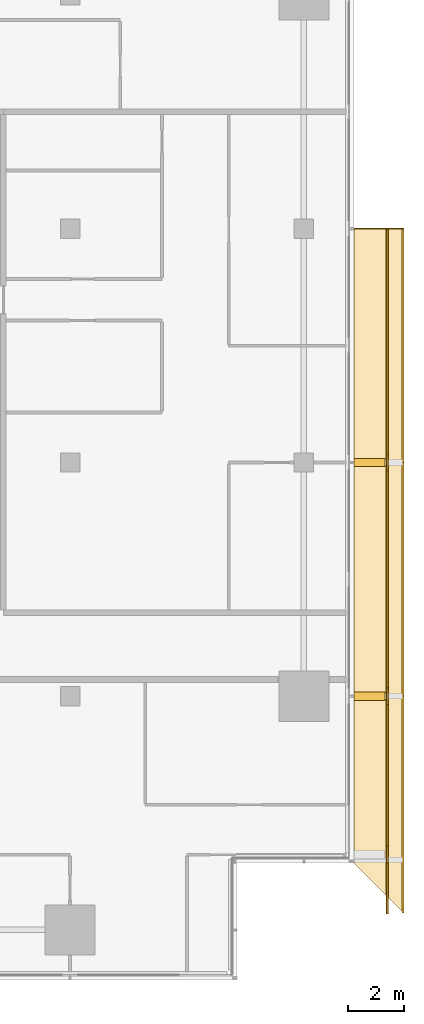
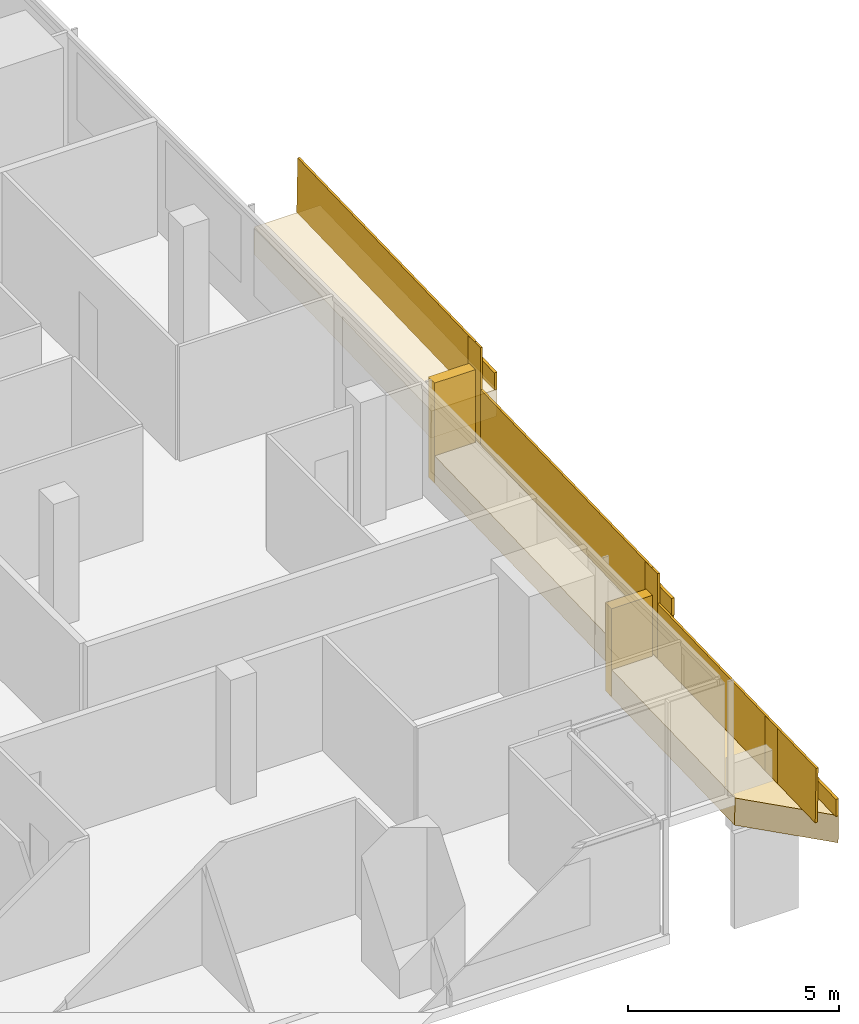
# One storey, part 27 of 27: 8 coverings, 6 railings.
"""IFC4 building model written with IfcOpenShell, lengths in metres."""

from ifc_helpers import new_model, si_unit, direction, frame, origin, origin_2d, place, context, subcontext, project, spatial, polyline, rectangle, outline, extrude, material, layer, layer_set, type_object, element, save


model = new_model("IFC4")

# Units and contexts
model_context = context("Model", 3, precision=1e-05, world=origin(), true_north=direction((0.0, 1.0)))
body_context = subcontext(model_context, "Body", "Model", "MODEL_VIEW")
ifc_project = project(units=[si_unit("LENGTHUNIT", "METRE"), si_unit("AREAUNIT", "SQUARE_METRE"), si_unit("VOLUMEUNIT", "CUBIC_METRE"), si_unit("PLANEANGLEUNIT", "RADIAN"), si_unit("MASSUNIT", "GRAM", prefix="KILO")], contexts=[model_context])

# Site, building, storey
site_placement = place(None, origin())
site = spatial("IfcSite", under=ifc_project, at=site_placement, CompositionType="ELEMENT")
building_placement = place(site_placement, origin())
building = spatial("IfcBuilding", under=site, at=building_placement, Name="Saffron Gate Tower", CompositionType="ELEMENT")
storey_placement = place(building_placement, frame((0.0, 0.0, 183.449951171875)))
storey = spatial("IfcBuildingStorey", under=building, at=storey_placement, Name="L45", CompositionType="ELEMENT", Elevation=183.449951171875)

# Coverings
ifc_material = material(Name="Timber, thermally modified ash", Category="wood")
ifc_layer_1 = layer(ifc_material, 0.800048828125)
ifc_layer_set_1 = layer_set([ifc_layer_1], Name="LD1 ledge timber")
covering_type_1 = type_object("IfcCoveringType", Name="LD1 ledge timber", PredefinedType="CLADDING", material=ifc_layer_set_1)
covering_1_placement = place(storey_placement, frame((127.199951171875, 34.199951171875, -0.07177734375), z_axis=(-2.391759e-05, -0.028789477025, 0.999585496814), x_axis=(1.72e-10, 0.9995854971, 0.028789477033)))
element("IfcCovering", 1, at=covering_1_placement, inside=storey, type_object=covering_type_1, Name="LEDGE", PredefinedType="CLADDING", context=body_context, shape_type="SweptSolid", body=[
    extrude(outline(polyline([(0.0, 0.0), (6.002489288687248, -8.470329472543003e-22), (6.002489288996045, -1.8000488276101398), (-1.800792782710612, -1.8000488299785034), (0.0, 0.0)])), origin(), (0.0, 0.0, -1.0), 0.800048828125),
])
covering_2_placement = place(storey_placement, frame((127.199951171875, 40.199951171875, 0.95849609375), z_axis=(0.0, -0.028790339263, 0.999585472266), x_axis=(0.0, 0.999585472266, 0.028790339263)))
element("IfcCovering", 2, at=covering_2_placement, inside=storey, type_object=covering_type_1, Name="LEDGE", PredefinedType="CLADDING", context=body_context, shape_type="SweptSolid", body=[
    extrude(outline(polyline([(0.0, 0.0), (8.403630022085892, 0.0), (8.403630022085892, -1.800048828125), (0.0, -1.800048828125), (0.0, 0.0)])), origin(), (0.0, 0.0, -1.0), 0.800048828125),
])
covering_3_placement = place(storey_placement, frame((127.199951171875, 48.60009765625, 2.40087890625), z_axis=(0.0, -0.028791175352, 0.999585448184), x_axis=(0.0, 0.999585448184, 0.028791175352)))
element("IfcCovering", 3, at=covering_3_placement, inside=storey, type_object=covering_type_1, Name="LEDGE", PredefinedType="CLADDING", context=body_context, shape_type="SweptSolid", body=[
    extrude(outline(polyline([(0.0, 0.0), (8.403385982666892, 0.0), (8.403385982666892, -1.800048828125), (0.0, -1.800048828125), (0.0, 0.0)])), origin(), (0.0, 0.0, -1.0), 0.800048828125),
])
ifc_layer_2 = layer(ifc_material, 0.080078125)
ifc_layer_set_2 = layer_set([ifc_layer_2], Name="LD2 ledge planter trough")
covering_type_2 = type_object("IfcCoveringType", Name="LD2 ledge planter trough", PredefinedType="CLADDING", material=ifc_layer_set_2)
covering_4_placement = place(storey_placement, frame((129.0, 32.39990234375, -0.12353515625), z_axis=(1.0, 0.0, 0.0), x_axis=(0.0, 0.999585655924, 0.028783962047)))
element("IfcCovering", 4, at=covering_4_placement, inside=storey, type_object=covering_type_2, Name="LEDGE planter trough", PredefinedType="CLADDING", context=body_context, shape_type="SweptSolid", body=[
    extrude(outline(polyline([(0.0, 0.0), (7.803282071825423, 2.7755575615628914e-17), (7.817674052849086, 0.4997928279619612), (0.014391981023662846, 0.4997928279619612), (0.0, 0.0)])), origin(), (0.0, 0.0, -1.0), 0.080078125),
])
covering_5_placement = place(storey_placement, frame((129.0, 40.199951171875, 0.95849609375), z_axis=(1.0, 0.0, 0.0), x_axis=(0.0, 0.999585472266, 0.028790339263)))
element("IfcCovering", 5, at=covering_5_placement, inside=storey, type_object=covering_type_2, Name="LEDGE planter trough", PredefinedType="CLADDING", context=body_context, shape_type="SweptSolid", body=[
    extrude(outline(polyline([(0.0, 0.0), (8.403630022085892, 0.0), (8.418025191717298, 0.4997927361329725), (0.014395169631405694, 0.4997927361329725), (0.0, 0.0)])), origin(), (0.0, 0.0, -1.0), 0.080078125),
])
covering_6_placement = place(storey_placement, frame((129.0, 48.60009765625, 2.40087890625), z_axis=(1.0, 0.0, 0.0), x_axis=(0.0, 0.999585448184, 0.028791175352)))
element("IfcCovering", 6, at=covering_6_placement, inside=storey, type_object=covering_type_2, Name="LEDGE planter trough", PredefinedType="CLADDING", context=body_context, shape_type="SweptSolid", body=[
    extrude(outline(polyline([(0.0, 0.0), (8.403385982666892, 0.0), (8.417781570342743, 0.49979272409216496), (0.014395587675851172, 0.4997927240921649), (0.0, 0.0)])), origin(), (0.0, 0.0, -1.0), 0.080078125),
])
ifc_layer_3 = layer(ifc_material, 0.300048828125)
ifc_layer_set_3 = layer_set([ifc_layer_3], Name="LD3 ledge riser fin")
covering_type_3 = type_object("IfcCoveringType", Name="LD3 ledge riser fin", PredefinedType="CLADDING", material=ifc_layer_set_3)
covering_7_placement = place(storey_placement, frame((127.760009765625, 40.199951171875, -0.69873046875), z_axis=(0.0, 0.0, 1.0), x_axis=(0.0, 1.0, 0.0)))
element("IfcCovering", 7, at=covering_7_placement, inside=storey, type_object=covering_type_3, Name="LEDGE riser fin", PredefinedType="CLADDING", context=body_context, shape_type="SweptSolid", body=[
    extrude(rectangle(XDim=0.300048828125, YDim=1.1201171875, at=origin_2d()), origin(), (0.0, 0.0, 1.0), 2.557373046875),
])
covering_8_placement = place(storey_placement, frame((127.760009765625, 48.60009765625, 0.400390625), z_axis=(0.0, 0.0, 1.0), x_axis=(0.0, 1.0, 0.0)))
element("IfcCovering", 8, at=covering_8_placement, inside=storey, type_object=covering_type_3, Name="LEDGE riser fin", PredefinedType="CLADDING", context=body_context, shape_type="SweptSolid", body=[
    extrude(rectangle(XDim=0.300048828125, YDim=1.1201171875, at=origin_2d()), origin(), (0.0, 0.0, 1.0), 2.900390625),
])

# Railings
railing_type = type_object("IfcRailingType", Name="LG1 ledge balustrade", PredefinedType="BALUSTRADE", material=ifc_material)
railing_1_placement = place(storey_placement, frame((128.39990234375, 32.39990234375, -0.12353515625)))
element("IfcRailing", 9, at=railing_1_placement, inside=storey, type_object=railing_type, Name="LEDGE BALUSTRADE", PredefinedType="BALUSTRADE", context=body_context, shape_type="SweptSolid", body=[
    extrude(rectangle(XDim=0.06005859375, YDim=1.60009765625, at=origin_2d()), frame((0.0, 0.0, 0.800048828125), z_axis=(0.0, 0.999585655924, 0.028783962047), x_axis=(-1.0, 0.0, 0.0)), (0.0, 0.0, 1.0), 7.80322265625),
])
railing_2_placement = place(storey_placement, frame((128.39990234375, 34.199951171875, -0.328857421875)))
element("IfcRailing", 10, at=railing_2_placement, inside=storey, type_object=railing_type, Name="LEDGE BALUSTRADE", PredefinedType="BALUSTRADE", context=body_context, shape_type="SweptSolid", body=[
    extrude(rectangle(XDim=0.06005859375, YDim=1.857177734375, at=origin_2d()), frame((0.0, 0.0, 0.9287109375), z_axis=(0.0, 1.0, 0.0), x_axis=(-1.0, 0.0, 0.0)), (0.0, 0.0, 1.0), 0.60009765625),
])
railing_3_placement = place(storey_placement, frame((128.39990234375, 40.199951171875, 0.95849609375)))
element("IfcRailing", 11, at=railing_3_placement, inside=storey, type_object=railing_type, Name="LEDGE BALUSTRADE", PredefinedType="BALUSTRADE", context=body_context, shape_type="SweptSolid", body=[
    extrude(rectangle(XDim=0.06005859375, YDim=1.60009765625, at=origin_2d()), frame((0.0, 0.0, 0.800048828125), z_axis=(0.0, 0.999585472266, 0.028790339263), x_axis=(-1.0, 0.0, 0.0)), (0.0, 0.0, 1.0), 8.403564453125),
])
railing_4_placement = place(storey_placement, frame((128.39990234375, 39.89990234375, 0.10107421875)))
element("IfcRailing", 12, at=railing_4_placement, inside=storey, type_object=railing_type, Name="LEDGE BALUSTRADE", PredefinedType="BALUSTRADE", context=body_context, shape_type="SweptSolid", body=[
    extrude(rectangle(XDim=0.06005859375, YDim=2.45751953125, at=origin_2d()), frame((0.0, 0.0, 1.228759765625), z_axis=(0.0, 1.0, 0.0), x_axis=(-1.0, 0.0, 0.0)), (0.0, 0.0, 1.0), 0.60009765625),
])
railing_5_placement = place(storey_placement, frame((128.39990234375, 48.60009765625, 2.40087890625)))
element("IfcRailing", 13, at=railing_5_placement, inside=storey, type_object=railing_type, Name="LEDGE BALUSTRADE", PredefinedType="BALUSTRADE", context=body_context, shape_type="SweptSolid", body=[
    extrude(rectangle(XDim=0.06005859375, YDim=1.60009765625, at=origin_2d()), frame((0.0, 0.0, 0.800048828125), z_axis=(0.0, 0.999585448184, 0.028791175352), x_axis=(-1.0, 0.0, 0.0)), (0.0, 0.0, 1.0), 8.4033203125),
])
railing_6_placement = place(storey_placement, frame((128.39990234375, 48.300048828125, 1.200439453125)))
element("IfcRailing", 14, at=railing_6_placement, inside=storey, type_object=railing_type, Name="LEDGE BALUSTRADE", PredefinedType="BALUSTRADE", context=body_context, shape_type="SweptSolid", body=[
    extrude(rectangle(XDim=0.06005859375, YDim=2.80029296875, at=origin_2d()), frame((0.0, 0.0, 1.400146484375), z_axis=(0.0, 1.0, 0.0), x_axis=(-1.0, 0.0, 0.0)), (0.0, 0.0, 1.0), 0.599853515625),
])

save(model, "model.ifc")
